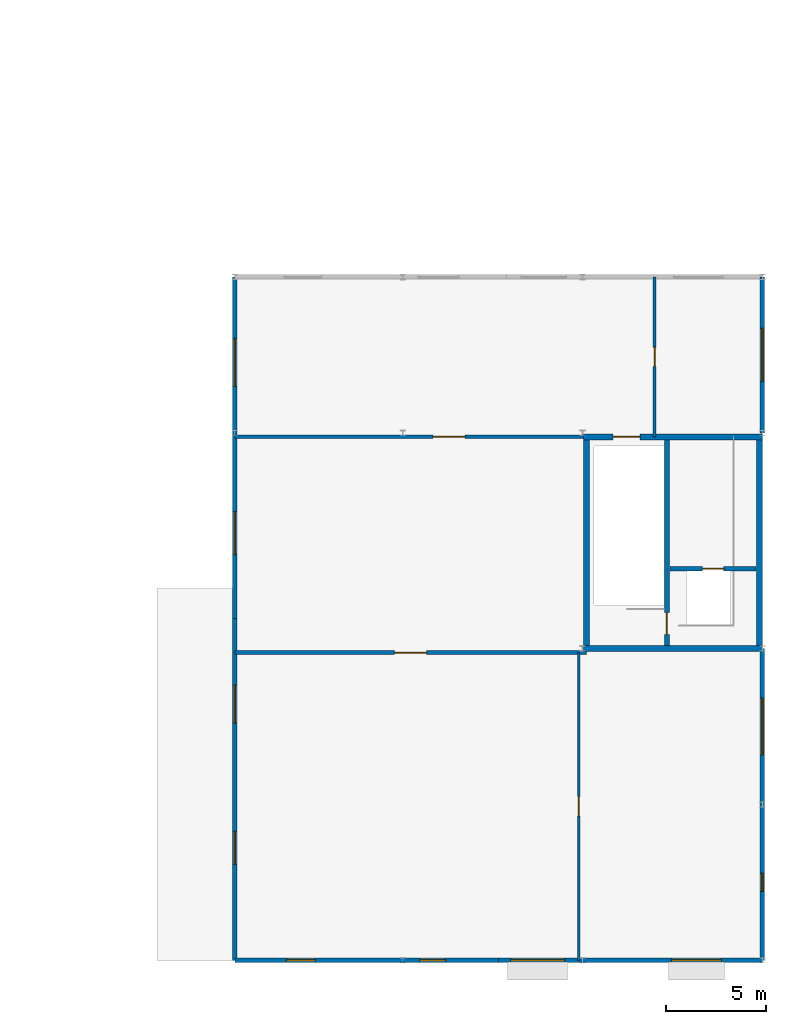
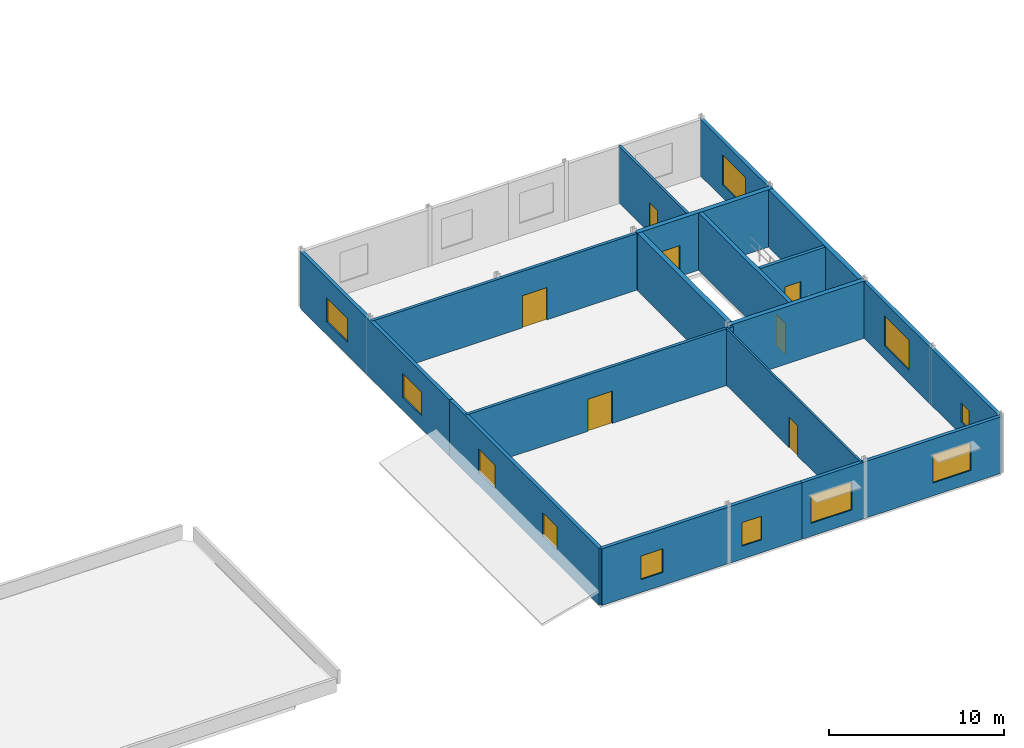
# One storey, part 42 of 54: 16 walls, 11 windows, 7 doors, 18 openings.
"""IFC4 building model written with IfcOpenShell, lengths in metres."""

from ifc_helpers import new_model, si_unit, direction, frame, frame_2d, origin, place, context, subcontext, project, spatial, rectangle, extrude, material, layer, layer_set, type_object, element, fill, save


model = new_model("IFC4")

# Units and contexts
model_context = context("Model", 3, precision=1e-05, world=origin(), true_north=direction((0.0, 1.0)))
body_context = subcontext(model_context, "Body", "Model", "MODEL_VIEW")
ifc_project = project(units=[si_unit("LENGTHUNIT", "METRE"), si_unit("AREAUNIT", "SQUARE_METRE"), si_unit("VOLUMEUNIT", "CUBIC_METRE"), si_unit("PLANEANGLEUNIT", "RADIAN"), si_unit("MASSUNIT", "GRAM", prefix="KILO")], contexts=[model_context])

# Site, building, storey
site_placement = place(None, origin())
site = spatial("IfcSite", under=ifc_project, at=site_placement, CompositionType="ELEMENT")
building_placement = place(site_placement, origin())
building = spatial("IfcBuilding", under=site, at=building_placement, Name="Selat Folded Stagehouse", CompositionType="ELEMENT")
storey_placement = place(building_placement, frame((0.0, 0.0, 15.0)))
storey = spatial("IfcBuildingStorey", under=building, at=storey_placement, Name="L03", CompositionType="ELEMENT", Elevation=15.0)

# Wall, opening, door
ifc_material_1 = material(Name="Acoustic twin-frame drywall partition", Category="gypsum")
ifc_layer_1 = layer(ifc_material_1, 0.18994140625)
ifc_layer_set_1 = layer_set([ifc_layer_1], Name="Acoustic twin-frame drywall partition")
wall_type_1 = type_object("IfcWallType", Name="WAL-ACOU-190", PredefinedType="PARTITIONING", material=ifc_layer_set_1)
wall_1_placement = place(storey_placement, frame((134.39990234375, 15.39990234375, 0.0), z_axis=(0.0, 0.0, 1.0), x_axis=(1.0, 0.0, 0.0)))
wall_1 = element("IfcWall", 1, at=wall_1_placement, inside=storey, type_object=wall_type_1, Name="L03 interior partition wall 094", PredefinedType="PARTITIONING", context=body_context, shape_type="SweptSolid", body=[
    extrude(rectangle(XDim=17.60009765625, YDim=0.18994140625, at=frame_2d((8.800048828125, 0.0))), origin(), (0.0, 0.0, 1.0), 3.951904296875),
])
opening_1_placement = place(wall_1_placement, frame((8.0, 0.0, 0.0)))
opening_1 = element("IfcOpeningElement", 2, at=opening_1_placement, cuts=wall_1, Name="Opening RD-01", PredefinedType="OPENING", context=body_context, shape_type="SweptSolid", body=[
    extrude(rectangle(XDim=1.60009765625, YDim=2.25, at=frame_2d((0.800048828125, 1.125))), frame((0.0, 0.10498046875, 0.0), z_axis=(0.0, -1.0, 0.0), x_axis=(1.0, 0.0, 0.0)), (0.0, 0.0, 1.0), 0.2099609375),
])
ifc_material_2 = material(Name="Rehearsal studio acoustic leaf-and-half door", Category="wood")
door_type_1 = type_object("IfcDoorType", Name="DOR-REH-1600", OperationType="NOTDEFINED", PredefinedType="DOOR", material=ifc_material_2)
door_1_placement = place(opening_1_placement, origin())
door_1 = element("IfcDoor", 3, at=door_1_placement, inside=storey, type_object=door_type_1, Name="L03 interior door IWAL-L03-094-1", OperationType="SINGLE_SWING_RIGHT", OverallHeight=2.25, OverallWidth=1.60009765625, PredefinedType="DOOR", context=body_context, shape_type="SweptSolid", body=[
    extrude(rectangle(XDim=1.60009765625, YDim=2.25, at=frame_2d((0.800048828125, 1.125))), frame((0.0, 0.02490234375, 0.0), z_axis=(0.0, -1.0, 0.0), x_axis=(1.0, 0.0, 0.0)), (0.0, 0.0, 1.0), 0.050048828125),
])
fill(opening_1, door_1)

wall_2_placement = place(storey_placement, frame((134.39990234375, 26.199951171875, 0.0), z_axis=(0.0, 0.0, 1.0), x_axis=(1.0, 0.0, 0.0)))
wall_2 = element("IfcWall", 4, at=wall_2_placement, inside=storey, type_object=wall_type_1, Name="L03 interior partition wall 095", PredefinedType="PARTITIONING", context=body_context, shape_type="SweptSolid", body=[
    extrude(rectangle(XDim=17.60009765625, YDim=0.18994140625, at=frame_2d((8.800048828125, 0.0))), origin(), (0.0, 0.0, 1.0), 3.951904296875),
])
opening_2_placement = place(wall_2_placement, frame((9.919921875, 0.0, 0.0)))
opening_2 = element("IfcOpeningElement", 5, at=opening_2_placement, cuts=wall_2, Name="Opening RD-01", PredefinedType="OPENING", context=body_context, shape_type="SweptSolid", body=[
    extrude(rectangle(XDim=1.60009765625, YDim=2.25, at=frame_2d((0.800048828125, 1.125))), frame((0.0, 0.10498046875, 0.0), z_axis=(0.0, -1.0, 0.0), x_axis=(1.0, 0.0, 0.0)), (0.0, 0.0, 1.0), 0.2099609375),
])
door_2_placement = place(opening_2_placement, origin())
door_2 = element("IfcDoor", 6, at=door_2_placement, inside=storey, type_object=door_type_1, Name="L03 interior door IWAL-L03-095-1", OperationType="SINGLE_SWING_LEFT", OverallHeight=2.25, OverallWidth=1.60009765625, PredefinedType="DOOR", context=body_context, shape_type="SweptSolid", body=[
    extrude(rectangle(XDim=1.60009765625, YDim=2.25, at=frame_2d((0.800048828125, 1.125))), frame((0.0, 0.02490234375, 0.0), z_axis=(0.0, -1.0, 0.0), x_axis=(1.0, 0.0, 0.0)), (0.0, 0.0, 1.0), 0.050048828125),
])
fill(opening_2, door_2)

ifc_material_3 = material(Name="Concrete C40/50", Category="concrete")
ifc_layer_2 = layer(ifc_material_3, 0.215087890625)
ifc_layer_set_2 = layer_set([ifc_layer_2], Name="Concrete C40/50")
wall_type_2 = type_object("IfcWallType", Name="WAL-COMP-215", PredefinedType="STANDARD", material=ifc_layer_set_2)
wall_3_placement = place(storey_placement, frame((156.179931640625, 19.60009765625, 0.0), z_axis=(0.0, 0.0, 1.0), x_axis=(1.0, 0.0, 0.0)))
wall_3 = element("IfcWall", 7, at=wall_3_placement, inside=storey, type_object=wall_type_2, Name="L03 PL-03 lift shaft front wall", PredefinedType="STANDARD", context=body_context, shape_type="SweptSolid", body=[
    extrude(rectangle(XDim=4.300048828125, YDim=0.215087890625, at=frame_2d((2.14990234375, 0.0))), origin(), (0.0, 0.0, 1.0), 3.991943359375),
])
opening_3_placement = place(wall_3_placement, frame((1.625, 0.0, 0.0)))
opening_3 = element("IfcOpeningElement", 8, at=opening_3_placement, cuts=wall_3, Name="Opening LD-03", PredefinedType="OPENING", context=body_context, shape_type="SweptSolid", body=[
    extrude(rectangle(XDim=1.050048828125, YDim=2.14990234375, at=frame_2d((0.52490234375, 1.074951171875))), frame((0.0, 0.117431640625, 0.0), z_axis=(0.0, -1.0, 0.0), x_axis=(1.0, 0.0, 0.0)), (0.0, 0.0, 1.0), 0.235107421875),
])
ifc_material_4 = material(Name="Passenger lift stainless sliding landing door", Category="wood")
door_type_2 = type_object("IfcDoorType", Name="DOR-LFT-1050", OperationType="NOTDEFINED", PredefinedType="DOOR", material=ifc_material_4)
door_3_placement = place(opening_3_placement, origin())
door_3 = element("IfcDoor", 9, at=door_3_placement, inside=storey, type_object=door_type_2, Name="L03 PL-03 lift sliding landing door", OperationType="SLIDING_TO_LEFT", OverallHeight=2.14990234375, OverallWidth=1.050048828125, PredefinedType="DOOR", context=body_context, shape_type="SweptSolid", body=[
    extrude(rectangle(XDim=1.050048828125, YDim=2.14990234375, at=frame_2d((0.52490234375, 1.074951171875))), frame((0.0, 0.02490234375, 0.0), z_axis=(0.0, -1.0, 0.0), x_axis=(1.0, 0.0, 0.0)), (0.0, 0.0, 1.0), 0.050048828125),
])
fill(opening_3, door_3)

ifc_material_5 = material(Name="Concrete C50/60", Category="concrete")
ifc_layer_3 = layer(ifc_material_5, 0.25)
ifc_layer_set_3 = layer_set([ifc_layer_3], Name="Concrete C50/60")
wall_type_3 = type_object("IfcWallType", Name="WAL-CORE-250", PredefinedType="SHEAR", material=ifc_layer_set_3)
wall_4_placement = place(storey_placement, frame((156.02001953125, 26.050048828125, 0.0), z_axis=(0.0, 0.0, 1.0), x_axis=(0.0, -1.0, 0.0)))
wall_4 = element("IfcWall", 10, at=wall_4_placement, inside=storey, type_object=wall_type_3, Name="L03 CR-4 internal core divider wall", PredefinedType="SHEAR", context=body_context, shape_type="SweptSolid", body=[
    extrude(rectangle(XDim=10.300048828125, YDim=0.25, at=frame_2d((5.14990234375, 0.0))), origin(), (0.0, 0.0, 1.0), 4.0),
])
opening_4_placement = place(wall_4_placement, frame((8.64990234375, 0.0, 0.0)))
opening_4 = element("IfcOpeningElement", 11, at=opening_4_placement, cuts=wall_4, Name="Opening FD-60", PredefinedType="OPENING", context=body_context, shape_type="SweptSolid", body=[
    extrude(rectangle(XDim=1.10009765625, YDim=2.14990234375, at=frame_2d((0.550048828125, 1.074951171875))), frame((0.0, 0.135009765625, 0.0), z_axis=(0.0, -1.0, 0.0), x_axis=(1.0, 0.0, 0.0)), (0.0, 0.0, 1.0), 0.27001953125),
])
ifc_material_6 = material(Name="Fire-rated timber core door", Category="wood")
door_type_3 = type_object("IfcDoorType", Name="DOR-FIRE-60", OperationType="NOTDEFINED", PredefinedType="DOOR", material=ifc_material_6)
door_4_placement = place(opening_4_placement, origin())
door_4 = element("IfcDoor", 12, at=door_4_placement, inside=storey, type_object=door_type_3, Name="L03 CR-4 protected stair fire door", OperationType="SINGLE_SWING_LEFT", OverallHeight=2.14990234375, OverallWidth=1.10009765625, PredefinedType="DOOR", context=body_context, shape_type="SweptSolid", body=[
    extrude(rectangle(XDim=1.10009765625, YDim=2.14990234375, at=frame_2d((0.550048828125, 1.074951171875))), frame((0.0, 0.02490234375, 0.0), z_axis=(0.0, -1.0, 0.0), x_axis=(1.0, 0.0, 0.0)), (0.0, 0.0, 1.0), 0.050048828125),
])
fill(opening_4, door_4)

# Wall, openings, windows
ifc_material_7 = material(Name="Precast concrete C40/50", Category="concrete")
ifc_layer_4 = layer(ifc_material_7, 0.22998046875)
ifc_layer_set_4 = layer_set([ifc_layer_4], Name="Precast concrete C40/50")
wall_type_4 = type_object("IfcWallType", Name="WAL-EXT-230", PredefinedType="STANDARD", material=ifc_layer_set_4)
wall_5_placement = place(storey_placement, frame((160.800048828125, 0.0, 0.0), z_axis=(0.0, 0.0, 1.0), x_axis=(-1.0, 0.0, 0.0)))
wall_5 = element("IfcWall", 13, at=wall_5_placement, inside=storey, type_object=wall_type_4, Name="L03 exterior facade wall EW-L03-V3S-1", PredefinedType="STANDARD", context=body_context, shape_type="SweptSolid", body=[
    extrude(rectangle(XDim=13.199951171875, YDim=0.22998046875, at=frame_2d((6.60009765625, 0.0))), origin(), (0.0, 0.0, 1.0), 3.951904296875),
])
opening_5_placement = place(wall_5_placement, frame((2.050048828125, 0.0, 0.89990234375)))
opening_5 = element("IfcOpeningElement", 14, at=opening_5_placement, cuts=wall_5, Name="Opening WN-28", PredefinedType="OPENING", context=body_context, shape_type="SweptSolid", body=[
    extrude(rectangle(XDim=2.5, YDim=1.949951171875, at=frame_2d((1.25, 0.97509765625))), frame((0.0, 0.125, 0.0), z_axis=(0.0, -1.0, 0.0), x_axis=(1.0, 0.0, 0.0)), (0.0, 0.0, 1.0), 0.25),
])
opening_6_placement = place(wall_5_placement, frame((9.89990234375, 0.0, 0.89990234375)))
opening_6 = element("IfcOpeningElement", 15, at=opening_6_placement, cuts=wall_5, Name="Opening WN-27", PredefinedType="OPENING", context=body_context, shape_type="SweptSolid", body=[
    extrude(rectangle(XDim=2.699951171875, YDim=1.949951171875, at=frame_2d((1.35009765625, 0.97509765625))), frame((0.0, 0.125, 0.0), z_axis=(0.0, -1.0, 0.0), x_axis=(1.0, 0.0, 0.0)), (0.0, 0.0, 1.0), 0.25),
])
ifc_material_8 = material(Name="Thermally broken aluminium and acoustic low-E glass", Category="aluminium")
window_type_1 = type_object("IfcWindowType", Name="WIN-ED-2500x1950", PartitioningType="SINGLE_PANEL", PredefinedType="WINDOW", material=ifc_material_8)
window_1_placement = place(opening_5_placement, origin())
window_1 = element("IfcWindow", 16, at=window_1_placement, inside=storey, type_object=window_type_1, Name="L03 exterior window EW-L03-V3S-1-1", OverallHeight=1.949951171875, OverallWidth=2.5, PartitioningType="SINGLE_PANEL", PredefinedType="WINDOW", context=body_context, shape_type="SweptSolid", body=[
    extrude(rectangle(XDim=2.5, YDim=1.949951171875, at=frame_2d((1.25, 0.97509765625))), frame((0.0, 0.030029296875, 0.0), z_axis=(0.0, -1.0, 0.0), x_axis=(1.0, 0.0, 0.0)), (0.0, 0.0, 1.0), 0.06005859375),
])
fill(opening_5, window_1)
window_type_2 = type_object("IfcWindowType", Name="WIN-ED-2700x1950", PartitioningType="SINGLE_PANEL", PredefinedType="WINDOW", material=ifc_material_8)
window_2_placement = place(opening_6_placement, origin())
window_2 = element("IfcWindow", 17, at=window_2_placement, inside=storey, type_object=window_type_2, Name="L03 exterior window EW-L03-V3S-1-2", OverallHeight=1.949951171875, OverallWidth=2.699951171875, PartitioningType="SINGLE_PANEL", PredefinedType="WINDOW", context=body_context, shape_type="SweptSolid", body=[
    extrude(rectangle(XDim=2.699951171875, YDim=1.949951171875, at=frame_2d((1.35009765625, 0.97509765625))), frame((0.0, 0.030029296875, 0.0), z_axis=(0.0, -1.0, 0.0), x_axis=(1.0, 0.0, 0.0)), (0.0, 0.0, 1.0), 0.06005859375),
])
fill(opening_6, window_2)

wall_6_placement = place(storey_placement, frame((147.60009765625, 0.0, 0.0), z_axis=(0.0, 0.0, 1.0), x_axis=(-1.0, 0.0, 0.0)))
wall_6 = element("IfcWall", 18, at=wall_6_placement, inside=storey, type_object=wall_type_4, Name="L03 exterior facade wall EW-L03-V3S-2", PredefinedType="STANDARD", context=body_context, shape_type="SweptSolid", body=[
    extrude(rectangle(XDim=13.2001953125, YDim=0.22998046875, at=frame_2d((6.60009765625, 0.0))), origin(), (0.0, 0.0, 1.0), 3.951904296875),
])
opening_7_placement = place(wall_6_placement, frame((2.64990234375, 0.0, 0.89990234375)))
opening_7 = element("IfcOpeningElement", 19, at=opening_7_placement, cuts=wall_6, Name="Opening WN-38", PredefinedType="OPENING", context=body_context, shape_type="SweptSolid", body=[
    extrude(rectangle(XDim=1.300048828125, YDim=1.64990234375, at=frame_2d((0.64990234375, 0.824951171875))), frame((0.0, 0.125, 0.0), z_axis=(0.0, -1.0, 0.0), x_axis=(1.0, 0.0, 0.0)), (0.0, 0.0, 1.0), 0.25),
])
opening_8_placement = place(wall_6_placement, frame((9.175048828125, 0.0, 0.89990234375)))
opening_8 = element("IfcOpeningElement", 20, at=opening_8_placement, cuts=wall_6, Name="Opening WN-37", PredefinedType="OPENING", context=body_context, shape_type="SweptSolid", body=[
    extrude(rectangle(XDim=1.449951171875, YDim=1.64990234375, at=frame_2d((0.72509765625, 0.824951171875))), frame((0.0, 0.125, 0.0), z_axis=(0.0, -1.0, 0.0), x_axis=(1.0, 0.0, 0.0)), (0.0, 0.0, 1.0), 0.25),
])
window_type_3 = type_object("IfcWindowType", Name="WIN-OF-1300x1650", PartitioningType="SINGLE_PANEL", PredefinedType="WINDOW", material=ifc_material_8)
window_3_placement = place(opening_7_placement, origin())
window_3 = element("IfcWindow", 21, at=window_3_placement, inside=storey, type_object=window_type_3, Name="L03 exterior window EW-L03-V3S-2-1", OverallHeight=1.64990234375, OverallWidth=1.300048828125, PartitioningType="SINGLE_PANEL", PredefinedType="WINDOW", context=body_context, shape_type="SweptSolid", body=[
    extrude(rectangle(XDim=1.300048828125, YDim=1.64990234375, at=frame_2d((0.64990234375, 0.824951171875))), frame((0.0, 0.030029296875, 0.0), z_axis=(0.0, -1.0, 0.0), x_axis=(1.0, 0.0, 0.0)), (0.0, 0.0, 1.0), 0.06005859375),
])
fill(opening_7, window_3)
window_type_4 = type_object("IfcWindowType", Name="WIN-OF-1450x1650", PartitioningType="SINGLE_PANEL", PredefinedType="WINDOW", material=ifc_material_8)
window_4_placement = place(opening_8_placement, origin())
window_4 = element("IfcWindow", 22, at=window_4_placement, inside=storey, type_object=window_type_4, Name="L03 exterior window EW-L03-V3S-2-2", OverallHeight=1.64990234375, OverallWidth=1.449951171875, PartitioningType="SINGLE_PANEL", PredefinedType="WINDOW", context=body_context, shape_type="SweptSolid", body=[
    extrude(rectangle(XDim=1.449951171875, YDim=1.64990234375, at=frame_2d((0.72509765625, 0.824951171875))), frame((0.0, 0.030029296875, 0.0), z_axis=(0.0, -1.0, 0.0), x_axis=(1.0, 0.0, 0.0)), (0.0, 0.0, 1.0), 0.06005859375),
])
fill(opening_8, window_4)

wall_7_placement = place(storey_placement, frame((134.39990234375, 0.0, 0.0), z_axis=(0.0, 0.0, 1.0), x_axis=(0.0, 1.0, 0.0)))
wall_7 = element("IfcWall", 23, at=wall_7_placement, inside=storey, type_object=wall_type_4, Name="L03 exterior facade wall EW-L03-V3W-1", PredefinedType="STANDARD", context=body_context, shape_type="SweptSolid", body=[
    extrude(rectangle(XDim=17.10009765625, YDim=0.22998046875, at=frame_2d((8.550048828125, 0.0))), origin(), (0.0, 0.0, 1.0), 3.951904296875),
])
opening_9_placement = place(wall_7_placement, frame((4.800048828125, 0.0, 0.89990234375)))
opening_9 = element("IfcOpeningElement", 24, at=opening_9_placement, cuts=wall_7, Name="Opening WN-36", PredefinedType="OPENING", context=body_context, shape_type="SweptSolid", body=[
    extrude(rectangle(XDim=1.64990234375, YDim=1.64990234375, at=frame_2d((0.824951171875, 0.824951171875))), frame((0.0, 0.125, 0.0), z_axis=(0.0, -1.0, 0.0), x_axis=(1.0, 0.0, 0.0)), (0.0, 0.0, 1.0), 0.25),
])
opening_10_placement = place(wall_7_placement, frame((11.875, 0.0, 0.89990234375)))
opening_10 = element("IfcOpeningElement", 25, at=opening_10_placement, cuts=wall_7, Name="Opening WN-35", PredefinedType="OPENING", context=body_context, shape_type="SweptSolid", body=[
    extrude(rectangle(XDim=1.89990234375, YDim=1.64990234375, at=frame_2d((0.949951171875, 0.824951171875))), frame((0.0, 0.125, 0.0), z_axis=(0.0, -1.0, 0.0), x_axis=(1.0, 0.0, 0.0)), (0.0, 0.0, 1.0), 0.25),
])
window_type_5 = type_object("IfcWindowType", Name="WIN-OF-1650x1650", PartitioningType="SINGLE_PANEL", PredefinedType="WINDOW", material=ifc_material_8)
window_5_placement = place(opening_9_placement, origin())
window_5 = element("IfcWindow", 26, at=window_5_placement, inside=storey, type_object=window_type_5, Name="L03 exterior window EW-L03-V3W-1-1", OverallHeight=1.64990234375, OverallWidth=1.64990234375, PartitioningType="SINGLE_PANEL", PredefinedType="WINDOW", context=body_context, shape_type="SweptSolid", body=[
    extrude(rectangle(XDim=1.64990234375, YDim=1.64990234375, at=frame_2d((0.824951171875, 0.824951171875))), frame((0.0, 0.030029296875, 0.0), z_axis=(0.0, -1.0, 0.0), x_axis=(1.0, 0.0, 0.0)), (0.0, 0.0, 1.0), 0.06005859375),
])
fill(opening_9, window_5)
window_type_6 = type_object("IfcWindowType", Name="WIN-OF-1900x1650", PartitioningType="SINGLE_PANEL", PredefinedType="WINDOW", material=ifc_material_8)
window_6_placement = place(opening_10_placement, origin())
window_6 = element("IfcWindow", 27, at=window_6_placement, inside=storey, type_object=window_type_6, Name="L03 exterior window EW-L03-V3W-1-2", OverallHeight=1.64990234375, OverallWidth=1.89990234375, PartitioningType="SINGLE_PANEL", PredefinedType="WINDOW", context=body_context, shape_type="SweptSolid", body=[
    extrude(rectangle(XDim=1.89990234375, YDim=1.64990234375, at=frame_2d((0.949951171875, 0.824951171875))), frame((0.0, 0.030029296875, 0.0), z_axis=(0.0, -1.0, 0.0), x_axis=(1.0, 0.0, 0.0)), (0.0, 0.0, 1.0), 0.06005859375),
])
fill(opening_10, window_6)

wall_8_placement = place(storey_placement, frame((134.39990234375, 17.10009765625, 0.0), z_axis=(0.0, 0.0, 1.0), x_axis=(0.0, 1.0, 0.0)))
wall_8 = element("IfcWall", 28, at=wall_8_placement, inside=storey, type_object=wall_type_4, Name="L03 exterior facade wall EW-L03-V3W-2", PredefinedType="STANDARD", context=body_context, shape_type="SweptSolid", body=[
    extrude(rectangle(XDim=17.099853515625, YDim=0.22998046875, at=frame_2d((8.5498046875, 0.0))), origin(), (0.0, 0.0, 1.0), 3.951904296875),
])
opening_11_placement = place(wall_8_placement, frame((3.199951171875, 0.0, 0.89990234375)))
opening_11 = element("IfcOpeningElement", 29, at=opening_11_placement, cuts=wall_8, Name="Opening WN-34", PredefinedType="OPENING", context=body_context, shape_type="SweptSolid", body=[
    extrude(rectangle(XDim=2.14990234375, YDim=1.64990234375, at=frame_2d((1.074951171875, 0.824951171875))), frame((0.0, 0.125, 0.0), z_axis=(0.0, -1.0, 0.0), x_axis=(1.0, 0.0, 0.0)), (0.0, 0.0, 1.0), 0.25),
])
opening_12_placement = place(wall_8_placement, frame((11.625, 0.0, 0.89990234375)))
opening_12 = element("IfcOpeningElement", 30, at=opening_12_placement, cuts=wall_8, Name="Opening WN-33", PredefinedType="OPENING", context=body_context, shape_type="SweptSolid", body=[
    extrude(rectangle(XDim=2.39990234375, YDim=1.64990234375, at=frame_2d((1.199951171875, 0.824951171875))), frame((0.0, 0.125, 0.0), z_axis=(0.0, -1.0, 0.0), x_axis=(1.0, 0.0, 0.0)), (0.0, 0.0, 1.0), 0.25),
])
window_type_7 = type_object("IfcWindowType", Name="WIN-OF-2150x1650", PartitioningType="SINGLE_PANEL", PredefinedType="WINDOW", material=ifc_material_8)
window_7_placement = place(opening_11_placement, origin())
window_7 = element("IfcWindow", 31, at=window_7_placement, inside=storey, type_object=window_type_7, Name="L03 exterior window EW-L03-V3W-2-1", OverallHeight=1.64990234375, OverallWidth=2.14990234375, PartitioningType="SINGLE_PANEL", PredefinedType="WINDOW", context=body_context, shape_type="SweptSolid", body=[
    extrude(rectangle(XDim=2.14990234375, YDim=1.64990234375, at=frame_2d((1.074951171875, 0.824951171875))), frame((0.0, 0.030029296875, 0.0), z_axis=(0.0, -1.0, 0.0), x_axis=(1.0, 0.0, 0.0)), (0.0, 0.0, 1.0), 0.06005859375),
])
fill(opening_11, window_7)
window_type_8 = type_object("IfcWindowType", Name="WIN-OF-2400x1650", PartitioningType="SINGLE_PANEL", PredefinedType="WINDOW", material=ifc_material_8)
window_8_placement = place(opening_12_placement, origin())
window_8 = element("IfcWindow", 32, at=window_8_placement, inside=storey, type_object=window_type_8, Name="L03 exterior window EW-L03-V3W-2-2", OverallHeight=1.64990234375, OverallWidth=2.39990234375, PartitioningType="SINGLE_PANEL", PredefinedType="WINDOW", context=body_context, shape_type="SweptSolid", body=[
    extrude(rectangle(XDim=2.39990234375, YDim=1.64990234375, at=frame_2d((1.199951171875, 0.824951171875))), frame((0.0, 0.030029296875, 0.0), z_axis=(0.0, -1.0, 0.0), x_axis=(1.0, 0.0, 0.0)), (0.0, 0.0, 1.0), 0.06005859375),
])
fill(opening_12, window_8)

# Wall, opening, window
wall_9_placement = place(storey_placement, frame((160.800048828125, 34.199951171875, 0.0), z_axis=(0.0, 0.0, 1.0), x_axis=(0.0, -1.0, 0.0)))
wall_9 = element("IfcWall", 33, at=wall_9_placement, inside=storey, type_object=wall_type_4, Name="L03 exterior facade wall EW-L03-V3E-1", PredefinedType="STANDARD", context=body_context, shape_type="SweptSolid", body=[
    extrude(rectangle(XDim=7.800048828125, YDim=0.22998046875, at=frame_2d((3.89990234375, 0.0))), origin(), (0.0, 0.0, 1.0), 3.951904296875),
])
opening_13_placement = place(wall_9_placement, frame((2.574951171875, 0.0, 0.89990234375)))
opening_13 = element("IfcOpeningElement", 34, at=opening_13_placement, cuts=wall_9, Name="Opening WN-16", PredefinedType="OPENING", context=body_context, shape_type="SweptSolid", body=[
    extrude(rectangle(XDim=2.64990234375, YDim=2.10009765625, at=frame_2d((1.324951171875, 1.050048828125))), frame((0.0, 0.125, 0.0), z_axis=(0.0, -1.0, 0.0), x_axis=(1.0, 0.0, 0.0)), (0.0, 0.0, 1.0), 0.25),
])
window_type_9 = type_object("IfcWindowType", Name="WIN-RH-2650x2100", PartitioningType="SINGLE_PANEL", PredefinedType="WINDOW", material=ifc_material_8)
window_9_placement = place(opening_13_placement, origin())
window_9 = element("IfcWindow", 35, at=window_9_placement, inside=storey, type_object=window_type_9, Name="L03 exterior window EW-L03-V3E-1-1", OverallHeight=2.10009765625, OverallWidth=2.64990234375, PartitioningType="SINGLE_PANEL", PredefinedType="WINDOW", context=body_context, shape_type="SweptSolid", body=[
    extrude(rectangle(XDim=2.64990234375, YDim=2.10009765625, at=frame_2d((1.324951171875, 1.050048828125))), frame((0.0, 0.030029296875, 0.0), z_axis=(0.0, -1.0, 0.0), x_axis=(1.0, 0.0, 0.0)), (0.0, 0.0, 1.0), 0.06005859375),
])
fill(opening_13, window_9)

# Wall, openings, windows
wall_10_placement = place(storey_placement, frame((160.800048828125, 15.60009765625, 0.0), z_axis=(0.0, 0.0, 1.0), x_axis=(0.0, -1.0, 0.0)))
wall_10 = element("IfcWall", 36, at=wall_10_placement, inside=storey, type_object=wall_type_4, Name="L03 exterior facade wall EW-L03-V3E-3", PredefinedType="STANDARD", context=body_context, shape_type="SweptSolid", body=[
    extrude(rectangle(XDim=15.60009765625, YDim=0.22998046875, at=frame_2d((7.800048828125, 0.0))), origin(), (0.0, 0.0, 1.0), 3.951904296875),
])
opening_14_placement = place(wall_10_placement, frame((2.47509765625, 0.0, 0.89990234375)))
opening_14 = element("IfcOpeningElement", 37, at=opening_14_placement, cuts=wall_10, Name="Opening WN-15", PredefinedType="OPENING", context=body_context, shape_type="SweptSolid", body=[
    extrude(rectangle(XDim=2.85009765625, YDim=2.10009765625, at=frame_2d((1.425048828125, 1.050048828125))), frame((0.0, 0.125, 0.0), z_axis=(0.0, -1.0, 0.0), x_axis=(1.0, 0.0, 0.0)), (0.0, 0.0, 1.0), 0.25),
])
opening_15_placement = place(wall_10_placement, frame((11.25, 0.0, 0.89990234375)))
opening_15 = element("IfcOpeningElement", 38, at=opening_15_placement, cuts=wall_10, Name="Opening WN-44", PredefinedType="OPENING", context=body_context, shape_type="SweptSolid", body=[
    extrude(rectangle(XDim=0.89990234375, YDim=1.35009765625, at=frame_2d((0.449951171875, 0.675048828125))), frame((0.0, 0.125, 0.0), z_axis=(0.0, -1.0, 0.0), x_axis=(1.0, 0.0, 0.0)), (0.0, 0.0, 1.0), 0.25),
])
window_type_10 = type_object("IfcWindowType", Name="WIN-RH-2850x2100", PartitioningType="SINGLE_PANEL", PredefinedType="WINDOW", material=ifc_material_8)
window_10_placement = place(opening_14_placement, origin())
window_10 = element("IfcWindow", 39, at=window_10_placement, inside=storey, type_object=window_type_10, Name="L03 exterior window EW-L03-V3E-3-1", OverallHeight=2.10009765625, OverallWidth=2.85009765625, PartitioningType="SINGLE_PANEL", PredefinedType="WINDOW", context=body_context, shape_type="SweptSolid", body=[
    extrude(rectangle(XDim=2.85009765625, YDim=2.10009765625, at=frame_2d((1.425048828125, 1.050048828125))), frame((0.0, 0.030029296875, 0.0), z_axis=(0.0, -1.0, 0.0), x_axis=(1.0, 0.0, 0.0)), (0.0, 0.0, 1.0), 0.06005859375),
])
fill(opening_14, window_10)
window_type_11 = type_object("IfcWindowType", Name="WIN-ST-0900x1350", PartitioningType="SINGLE_PANEL", PredefinedType="WINDOW", material=ifc_material_8)
window_11_placement = place(opening_15_placement, origin())
window_11 = element("IfcWindow", 40, at=window_11_placement, inside=storey, type_object=window_type_11, Name="L03 exterior window EW-L03-V3E-3-2", OverallHeight=1.35009765625, OverallWidth=0.89990234375, PartitioningType="SINGLE_PANEL", PredefinedType="WINDOW", context=body_context, shape_type="SweptSolid", body=[
    extrude(rectangle(XDim=0.89990234375, YDim=1.35009765625, at=frame_2d((0.449951171875, 0.675048828125))), frame((0.0, 0.030029296875, 0.0), z_axis=(0.0, -1.0, 0.0), x_axis=(1.0, 0.0, 0.0)), (0.0, 0.0, 1.0), 0.06005859375),
])
fill(opening_15, window_11)

# Wall, opening, door
ifc_material_9 = material(Name="Standard acoustic drywall partition", Category="gypsum")
ifc_layer_5 = layer(ifc_material_9, 0.125)
ifc_layer_set_5 = layer_set([ifc_layer_5], Name="Standard acoustic drywall partition")
wall_type_5 = type_object("IfcWallType", Name="WAL-PART-125", PredefinedType="PARTITIONING", material=ifc_layer_set_5)
wall_11_placement = place(storey_placement, frame((151.60009765625, 0.0, 0.0), z_axis=(0.0, 0.0, 1.0), x_axis=(0.0, 1.0, 0.0)))
wall_11 = element("IfcWall", 41, at=wall_11_placement, inside=storey, type_object=wall_type_5, Name="L03 interior partition wall 096", PredefinedType="PARTITIONING", context=body_context, shape_type="SweptSolid", body=[
    extrude(rectangle(XDim=15.39990234375, YDim=0.125, at=frame_2d((7.699951171875, 0.0))), origin(), (0.0, 0.0, 1.0), 3.951904296875),
])
opening_16_placement = place(wall_11_placement, frame((7.2099609375, 0.0, 0.0)))
opening_16 = element("IfcOpeningElement", 42, at=opening_16_placement, cuts=wall_11, Name="Opening ID-02", PredefinedType="OPENING", context=body_context, shape_type="SweptSolid", body=[
    extrude(rectangle(XDim=0.97998046875, YDim=2.10009765625, at=frame_2d((0.489990234375, 1.050048828125))), frame((0.0, 0.072509765625, 0.0), z_axis=(0.0, -1.0, 0.0), x_axis=(1.0, 0.0, 0.0)), (0.0, 0.0, 1.0), 0.14501953125),
])
ifc_material_10 = material(Name="Production office timber door", Category="wood")
door_type_4 = type_object("IfcDoorType", Name="DOR-OFF-0980", OperationType="NOTDEFINED", PredefinedType="DOOR", material=ifc_material_10)
door_5_placement = place(opening_16_placement, origin())
door_5 = element("IfcDoor", 43, at=door_5_placement, inside=storey, type_object=door_type_4, Name="L03 interior door IWAL-L03-096-1", OperationType="SINGLE_SWING_RIGHT", OverallHeight=2.10009765625, OverallWidth=0.97998046875, PredefinedType="DOOR", context=body_context, shape_type="SweptSolid", body=[
    extrude(rectangle(XDim=0.97998046875, YDim=2.10009765625, at=frame_2d((0.489990234375, 1.050048828125))), frame((0.0, 0.02490234375, 0.0), z_axis=(0.0, -1.0, 0.0), x_axis=(1.0, 0.0, 0.0)), (0.0, 0.0, 1.0), 0.050048828125),
])
fill(opening_16, door_5)

ifc_material_11 = material(Name="Moisture-resistant sanitary service wall", Category="gypsum")
ifc_layer_6 = layer(ifc_material_11, 0.159912109375)
ifc_layer_set_6 = layer_set([ifc_layer_6], Name="Moisture-resistant sanitary service wall")
wall_type_6 = type_object("IfcWallType", Name="WAL-PLMB-160", PredefinedType="PLUMBINGWALL", material=ifc_layer_set_6)
wall_12_placement = place(storey_placement, frame((155.39990234375, 26.199951171875, 0.0), z_axis=(0.0, 0.0, 1.0), x_axis=(0.0, 1.0, 0.0)))
wall_12 = element("IfcWall", 44, at=wall_12_placement, inside=storey, type_object=wall_type_6, Name="L03 interior partition wall 097", PredefinedType="PLUMBINGWALL", context=body_context, shape_type="SweptSolid", body=[
    extrude(rectangle(XDim=8.0, YDim=0.159912109375, at=frame_2d((4.0, 0.0))), origin(), (0.0, 0.0, 1.0), 3.951904296875),
])
opening_17_placement = place(wall_12_placement, frame((3.52490234375, 0.0, 0.0)))
opening_17 = element("IfcOpeningElement", 45, at=opening_17_placement, cuts=wall_12, Name="Opening ID-04", PredefinedType="OPENING", context=body_context, shape_type="SweptSolid", body=[
    extrude(rectangle(XDim=0.949951171875, YDim=2.10009765625, at=frame_2d((0.47509765625, 1.050048828125))), frame((0.0, 0.08984375, 0.0), z_axis=(0.0, -1.0, 0.0), x_axis=(1.0, 0.0, 0.0)), (0.0, 0.0, 1.0), 0.179931640625),
])
ifc_material_12 = material(Name="Accessible toilet outward-opening door", Category="wood")
door_type_5 = type_object("IfcDoorType", Name="DOR-WC-0950", OperationType="NOTDEFINED", PredefinedType="DOOR", material=ifc_material_12)
door_6_placement = place(opening_17_placement, origin())
door_6 = element("IfcDoor", 46, at=door_6_placement, inside=storey, type_object=door_type_5, Name="L03 interior door IWAL-L03-097-1", OperationType="SINGLE_SWING_LEFT", OverallHeight=2.10009765625, OverallWidth=0.949951171875, PredefinedType="DOOR", context=body_context, shape_type="SweptSolid", body=[
    extrude(rectangle(XDim=0.949951171875, YDim=2.10009765625, at=frame_2d((0.47509765625, 1.050048828125))), frame((0.0, 0.02490234375, 0.0), z_axis=(0.0, -1.0, 0.0), x_axis=(1.0, 0.0, 0.0)), (0.0, 0.0, 1.0), 0.050048828125),
])
fill(opening_17, door_6)

# Wall
ifc_layer_7 = layer(ifc_material_5, 0.300048828125)
ifc_layer_set_7 = layer_set([ifc_layer_7], Name="Concrete C50/60")
wall_type_7 = type_object("IfcWallType", Name="WAL-SW-300", PredefinedType="SHEAR", material=ifc_layer_set_7)
wall_13_placement = place(storey_placement, frame((160.800048828125, 15.60009765625, 0.0), z_axis=(0.0, 0.0, 1.0), x_axis=(-1.0, 0.0, 0.0)))
element("IfcWall", 47, at=wall_13_placement, inside=storey, type_object=wall_type_7, Name="L03 CR-4 south shear wall", PredefinedType="SHEAR", context=body_context, shape_type="SweptSolid", body=[
    extrude(rectangle(XDim=8.949951171875, YDim=0.300048828125, at=frame_2d((4.47509765625, 0.0))), origin(), (0.0, 0.0, 1.0), 4.0),
])

# Wall, opening, door
wall_14_placement = place(storey_placement, frame((151.85009765625, 26.199951171875, 0.0), z_axis=(0.0, 0.0, 1.0), x_axis=(1.0, 0.0, 0.0)))
wall_14 = element("IfcWall", 48, at=wall_14_placement, inside=storey, type_object=wall_type_7, Name="L03 CR-4 north shear wall", PredefinedType="SHEAR", context=body_context, shape_type="SweptSolid", body=[
    extrude(rectangle(XDim=8.949951171875, YDim=0.300048828125, at=frame_2d((4.47509765625, 0.0))), origin(), (0.0, 0.0, 1.0), 4.0),
])
opening_18_placement = place(wall_14_placement, frame((1.47509765625, 0.0, 0.0)))
opening_18 = element("IfcOpeningElement", 49, at=opening_18_placement, cuts=wall_14, Name="Opening FD-60B", PredefinedType="OPENING", context=body_context, shape_type="SweptSolid", body=[
    extrude(rectangle(XDim=1.35009765625, YDim=2.14990234375, at=frame_2d((0.675048828125, 1.074951171875))), frame((0.0, 0.159912109375, 0.0), z_axis=(0.0, -1.0, 0.0), x_axis=(1.0, 0.0, 0.0)), (0.0, 0.0, 1.0), 0.320068359375),
])
ifc_material_13 = material(Name="Protected stair escape door", Category="wood")
door_type_6 = type_object("IfcDoorType", Name="DOR-STR-1350", OperationType="NOTDEFINED", PredefinedType="DOOR", material=ifc_material_13)
door_7_placement = place(opening_18_placement, origin())
door_7 = element("IfcDoor", 50, at=door_7_placement, inside=storey, type_object=door_type_6, Name="L03 CR-4 core lobby fire door", OperationType="SINGLE_SWING_RIGHT", OverallHeight=2.14990234375, OverallWidth=1.35009765625, PredefinedType="DOOR", context=body_context, shape_type="SweptSolid", body=[
    extrude(rectangle(XDim=1.35009765625, YDim=2.14990234375, at=frame_2d((0.675048828125, 1.074951171875))), frame((0.0, 0.02490234375, 0.0), z_axis=(0.0, -1.0, 0.0), x_axis=(1.0, 0.0, 0.0)), (0.0, 0.0, 1.0), 0.050048828125),
])
fill(opening_18, door_7)

# Walls
for number, where, z_axis, x_axis, name in (
    (51, (152.0, 15.75, 0.0), (0.0, 0.0, 1.0), (0.0, 1.0, 0.0), "L03 CR-4 west shear wall"),
    (52, (160.64990234375, 26.050048828125, 0.0), (0.0, 0.0, 1.0), (0.0, -1.0, 0.0), "L03 CR-4 east shear wall"),
):
    element("IfcWall", number, at=place(storey_placement, frame(where, z_axis=z_axis, x_axis=x_axis)), inside=storey, type_object=wall_type_7, Name=name, PredefinedType="SHEAR", context=body_context, shape_type="SweptSolid", body=[
        extrude(rectangle(XDim=10.300048828125, YDim=0.300048828125, at=frame_2d((5.14990234375, 0.0))), origin(), (0.0, 0.0, 1.0), 4.0),
    ])

save(model, "model.ifc")
